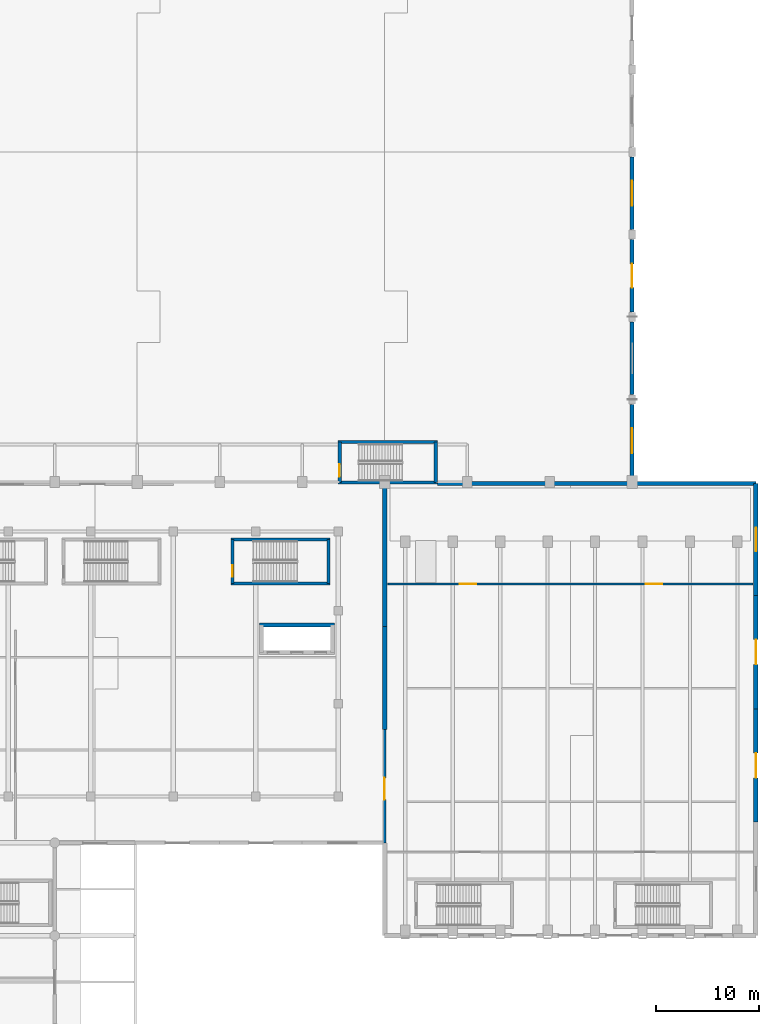
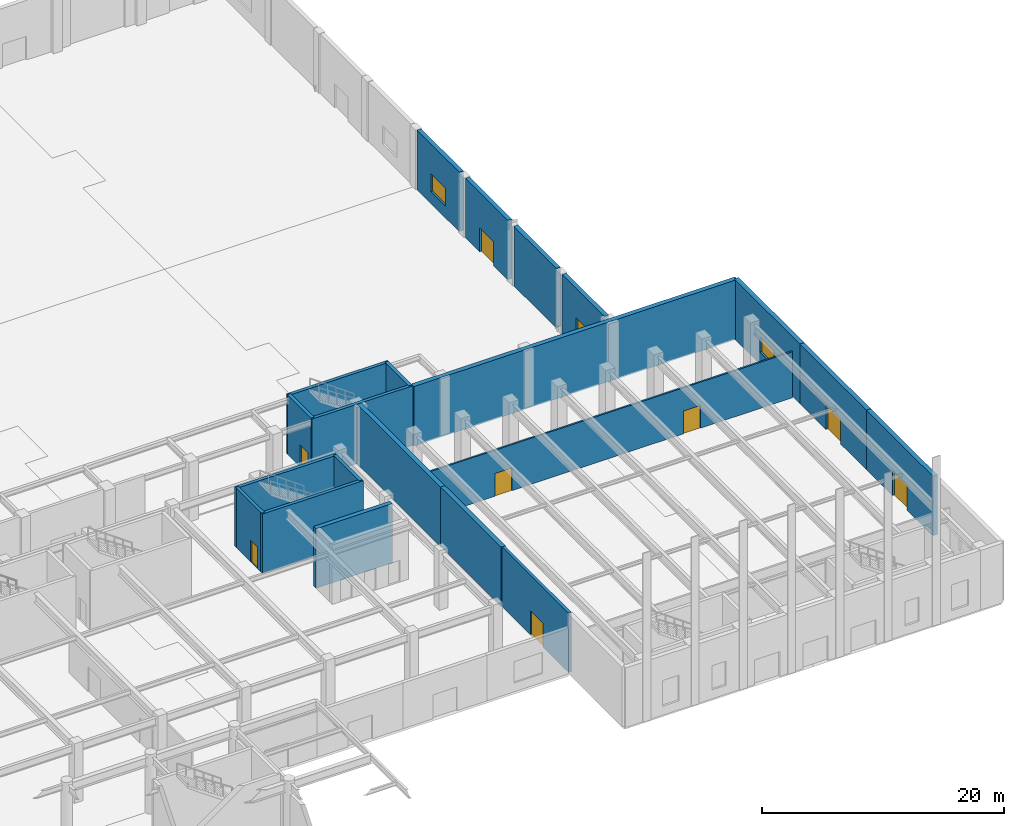
# One storey, part 36 of 49: 21 walls, 8 doors, 3 windows, 11 openings.
"""IFC4 building model written with IfcOpenShell, lengths in metres."""

from ifc_helpers import new_model, si_unit, direction, frame, frame_2d, origin, place, context, subcontext, project, spatial, rectangle, extrude, material, layer, layer_set, type_object, element, fill, save


model = new_model("IFC4")

# Units and contexts
model_context = context("Model", 3, precision=1e-05, world=origin(), true_north=direction((0.0, 1.0)))
body_context = subcontext(model_context, "Body", "Model", "MODEL_VIEW")
ifc_project = project(units=[si_unit("LENGTHUNIT", "METRE"), si_unit("AREAUNIT", "SQUARE_METRE"), si_unit("VOLUMEUNIT", "CUBIC_METRE"), si_unit("PLANEANGLEUNIT", "RADIAN"), si_unit("MASSUNIT", "GRAM", prefix="KILO")], contexts=[model_context])

# Site, building, storey
site_placement = place(None, origin())
site = spatial("IfcSite", under=ifc_project, at=site_placement, CompositionType="ELEMENT")
building_placement = place(site_placement, origin())
building = spatial("IfcBuilding", under=site, at=building_placement, Name="Tlacozan Convention Centre", CompositionType="ELEMENT")
storey_placement = place(building_placement, origin())
storey = spatial("IfcBuildingStorey", under=building, at=storey_placement, Name="L00", CompositionType="ELEMENT", Elevation=0.0)

# Wall, opening, window
ifc_material_1 = material(Name="Concrete C40/50", Category="concrete")
ifc_layer_1 = layer(ifc_material_1, 0.39990234375)
ifc_layer_set_1 = layer_set([ifc_layer_1], Name="Concrete C40/50")
wall_type_1 = type_object("IfcWallType", Name="Cantera Structural Hall Wall 400", PredefinedType="SOLIDWALL", material=ifc_layer_set_1)
wall_1_placement = place(storey_placement, frame((168.0, 62.5, 0.0), z_axis=(0.0, 0.0, 1.0), x_axis=(0.0, 1.0, 0.0)))
wall_1 = element("IfcWall", 1, at=wall_1_placement, inside=storey, type_object=wall_type_1, Name="L00 Cantera Structural Hall Wall 400 71", PredefinedType="SOLIDWALL", context=body_context, shape_type="SweptSolid", body=[
    extrude(rectangle(XDim=7.0, YDim=0.39990234375, at=frame_2d((3.5, 0.0))), origin(), (0.0, 0.0, 1.0), 6.0),
])
opening_1_placement = place(wall_1_placement, frame((2.300048828125, 0.0, 1.199951171875)))
opening_1 = element("IfcOpeningElement", 2, at=opening_1_placement, cuts=wall_1, Name="Opening WN-04", PredefinedType="OPENING", context=body_context, shape_type="SweptSolid", body=[
    extrude(rectangle(XDim=2.39990234375, YDim=1.800048828125, at=frame_2d((1.199951171875, 0.89990234375))), frame((0.0, 0.2099609375, 0.0), z_axis=(0.0, -1.0, 0.0), x_axis=(1.0, 0.0, 0.0)), (0.0, 0.0, 1.0), 0.419921875),
])
ifc_material_2 = material(Name="Solar Control Double Low-E Argon Glazing", Category="glass")
window_type_1 = type_object("IfcWindowType", Name="Exhibition Gable Vision Window 2400x1800", PartitioningType="SINGLE_PANEL", PredefinedType="WINDOW", material=ifc_material_2)
window_1_placement = place(opening_1_placement, origin())
window_1 = element("IfcWindow", 3, at=window_1_placement, inside=storey, type_object=window_type_1, Name="L00 Exhibition Gable Vision Window 2400x1800 32", OverallHeight=1.800048828125, OverallWidth=2.39990234375, PartitioningType="SINGLE_PANEL", PredefinedType="WINDOW", context=body_context, shape_type="SweptSolid", body=[
    extrude(rectangle(XDim=2.39990234375, YDim=1.800048828125, at=frame_2d((1.199951171875, 0.89990234375))), frame((0.0, 0.030029296875, 0.0), z_axis=(0.0, -1.0, 0.0), x_axis=(1.0, 0.0, 0.0)), (0.0, 0.0, 1.0), 0.06005859375),
])
fill(opening_1, window_1)

# Wall
wall_2_placement = place(storey_placement, frame((168.0, 70.5, 0.0), z_axis=(0.0, 0.0, 1.0), x_axis=(0.0, 1.0, 0.0)))
element("IfcWall", 4, at=wall_2_placement, inside=storey, type_object=wall_type_1, Name="L00 Cantera Structural Hall Wall 400 73", PredefinedType="SOLIDWALL", context=body_context, shape_type="SweptSolid", body=[
    extrude(rectangle(XDim=7.0, YDim=0.39990234375, at=frame_2d((3.5, 0.0))), origin(), (0.0, 0.0, 1.0), 6.0),
])

# Wall, opening, door
wall_3_placement = place(storey_placement, frame((168.0, 78.5, 0.0), z_axis=(0.0, 0.0, 1.0), x_axis=(0.0, 1.0, 0.0)))
wall_3 = element("IfcWall", 5, at=wall_3_placement, inside=storey, type_object=wall_type_1, Name="L00 Cantera Structural Hall Wall 400 75", PredefinedType="SOLIDWALL", context=body_context, shape_type="SweptSolid", body=[
    extrude(rectangle(XDim=7.0, YDim=0.39990234375, at=frame_2d((3.5, 0.0))), origin(), (0.0, 0.0, 1.0), 6.0),
])
opening_2_placement = place(wall_3_placement, frame((2.35009765625, 0.0, 0.0)))
opening_2 = element("IfcOpeningElement", 6, at=opening_2_placement, cuts=wall_3, Name="Opening EX-D1", PredefinedType="OPENING", context=body_context, shape_type="SweptSolid", body=[
    extrude(rectangle(XDim=2.300048828125, YDim=2.39990234375, at=frame_2d((1.14990234375, 1.199951171875))), frame((0.0, 0.2099609375, 0.0), z_axis=(0.0, -1.0, 0.0), x_axis=(1.0, 0.0, 0.0)), (0.0, 0.0, 1.0), 0.419921875),
])
ifc_material_3 = material(Name="Thermally Broken Anodised Aluminium Door", Category="aluminium")
door_type_1 = type_object("IfcDoorType", Name="Pedestrian Final Exit Double Door 2300x2400", OperationType="DOUBLE_DOOR_SINGLE_SWING", PredefinedType="DOOR", material=ifc_material_3)
door_1_placement = place(opening_2_placement, frame((2.300048828125, 0.0, 0.0), z_axis=(0.0, 0.0, 1.0), x_axis=(-1.0, 0.0, 0.0)))
door_1 = element("IfcDoor", 7, at=door_1_placement, inside=storey, type_object=door_type_1, Name="Final Pedestrian Exit EX-13", OperationType="DOUBLE_DOOR_SINGLE_SWING", OverallHeight=2.39990234375, OverallWidth=2.300048828125, PredefinedType="DOOR", context=body_context, shape_type="SweptSolid", body=[
    extrude(rectangle(XDim=2.300048828125, YDim=2.39990234375, at=frame_2d((1.14990234375, 1.199951171875))), frame((0.0, 0.02490234375, 0.0), z_axis=(0.0, -1.0, 0.0), x_axis=(1.0, 0.0, 0.0)), (0.0, 0.0, 1.0), 0.050048828125),
])
fill(opening_2, door_1)

# Wall, opening, window
wall_4_placement = place(storey_placement, frame((168.0, 86.5, 0.0), z_axis=(0.0, 0.0, 1.0), x_axis=(0.0, 1.0, 0.0)))
wall_4 = element("IfcWall", 8, at=wall_4_placement, inside=storey, type_object=wall_type_1, Name="L00 Cantera Structural Hall Wall 400 77", PredefinedType="SOLIDWALL", context=body_context, shape_type="SweptSolid", body=[
    extrude(rectangle(XDim=7.0, YDim=0.39990234375, at=frame_2d((3.5, 0.0))), origin(), (0.0, 0.0, 1.0), 6.0),
])
opening_3_placement = place(wall_4_placement, frame((2.300048828125, 0.0, 1.199951171875)))
opening_3 = element("IfcOpeningElement", 9, at=opening_3_placement, cuts=wall_4, Name="Opening WN-04", PredefinedType="OPENING", context=body_context, shape_type="SweptSolid", body=[
    extrude(rectangle(XDim=2.39990234375, YDim=1.800048828125, at=frame_2d((1.199951171875, 0.89990234375))), frame((0.0, 0.2099609375, 0.0), z_axis=(0.0, -1.0, 0.0), x_axis=(1.0, 0.0, 0.0)), (0.0, 0.0, 1.0), 0.419921875),
])
window_2_placement = place(opening_3_placement, origin())
window_2 = element("IfcWindow", 10, at=window_2_placement, inside=storey, type_object=window_type_1, Name="L00 Exhibition Gable Vision Window 2400x1800 34", OverallHeight=1.800048828125, OverallWidth=2.39990234375, PartitioningType="SINGLE_PANEL", PredefinedType="WINDOW", context=body_context, shape_type="SweptSolid", body=[
    extrude(rectangle(XDim=2.39990234375, YDim=1.800048828125, at=frame_2d((1.199951171875, 0.89990234375))), frame((0.0, 0.030029296875, 0.0), z_axis=(0.0, -1.0, 0.0), x_axis=(1.0, 0.0, 0.0)), (0.0, 0.0, 1.0), 0.06005859375),
])
fill(opening_3, window_2)

# Wall, opening, door
ifc_layer_2 = layer(ifc_material_1, 0.260009765625)
ifc_layer_set_2 = layer_set([ifc_layer_2], Name="Concrete C40/50")
wall_type_2 = type_object("IfcWallType", Name="Compartment Rated Wall RC 260", PredefinedType="SOLIDWALL", material=ifc_layer_set_2)
wall_5_placement = place(storey_placement, frame((144.0, 27.0, 0.0), z_axis=(0.0, 0.0, 1.0), x_axis=(0.0, 1.0, 0.0)))
wall_5 = element("IfcWall", 11, at=wall_5_placement, inside=storey, type_object=wall_type_2, Name="L00 Compartment Rated Wall RC 260 580", PredefinedType="SOLIDWALL", context=body_context, shape_type="SweptSolid", body=[
    extrude(rectangle(XDim=11.0, YDim=0.260009765625, at=frame_2d((5.5, 0.0))), origin(), (0.0, 0.0, 1.0), 6.0),
])
opening_4_placement = place(wall_5_placement, frame((4.199951171875, 0.0, 0.0)))
opening_4 = element("IfcOpeningElement", 12, at=opening_4_placement, cuts=wall_5, Name="Opening FD-04", PredefinedType="OPENING", context=body_context, shape_type="SweptSolid", body=[
    extrude(rectangle(XDim=2.10009765625, YDim=2.39990234375, at=frame_2d((1.050048828125, 1.199951171875))), frame((0.0, 0.139892578125, 0.0), z_axis=(0.0, -1.0, 0.0), x_axis=(1.0, 0.0, 0.0)), (0.0, 0.0, 1.0), 0.280029296875),
])
ifc_material_4 = material(Name="Fire-Rated Insulated Steel Door Leaf", Category="steel")
door_type_2 = type_object("IfcDoorType", Name="Fire Door Compartment Double 2100x2400 FD90", OperationType="DOUBLE_DOOR_SINGLE_SWING", PredefinedType="DOOR", material=ifc_material_4)
door_2_placement = place(opening_4_placement, origin())
door_2 = element("IfcDoor", 13, at=door_2_placement, inside=storey, type_object=door_type_2, Name="L00 Fire Door Compartment Double 2100x2400 FD90 169", OperationType="DOUBLE_DOOR_SINGLE_SWING", OverallHeight=2.39990234375, OverallWidth=2.10009765625, PredefinedType="DOOR", context=body_context, shape_type="SweptSolid", body=[
    extrude(rectangle(XDim=2.10009765625, YDim=2.39990234375, at=frame_2d((1.050048828125, 1.199951171875))), frame((0.0, 0.02490234375, 0.0), z_axis=(0.0, -1.0, 0.0), x_axis=(1.0, 0.0, 0.0)), (0.0, 0.0, 1.0), 0.050048828125),
])
fill(opening_4, door_2)

# Wall
ifc_layer_3 = layer(ifc_material_1, 0.409912109375)
ifc_layer_set_3 = layer_set([ifc_layer_3], Name="Concrete C40/50")
wall_type_3 = type_object("IfcWallType", Name="Core Shear Wall RC 410", PredefinedType="SHEAR", material=ifc_layer_set_3)
wall_6_placement = place(storey_placement, frame((131.85498046875, 48.139892578125, 0.0), z_axis=(0.0, 0.0, 1.0), x_axis=(1.0, 0.0, 0.0)))
element("IfcWall", 14, at=wall_6_placement, inside=storey, type_object=wall_type_3, Name="L00 Core Shear Wall RC 410 242", PredefinedType="SHEAR", context=body_context, shape_type="SweptSolid", body=[
    extrude(rectangle(XDim=7.2900390625, YDim=0.409912109375, at=frame_2d((3.64501953125, 0.0))), origin(), (0.0, 0.0, 1.0), 6.0),
])

# Wall, openings, doors
ifc_material_5 = material(Name="Acoustic Double-Stud Partition Assembly")
ifc_layer_4 = layer(ifc_material_5, 0.159912109375)
ifc_layer_set_4 = layer_set([ifc_layer_4], Name="Acoustic Double-Stud Partition Assembly")
wall_type_4 = type_object("IfcWallType", Name="Meeting Acoustic Partition 160", PredefinedType="PARTITIONING", material=ifc_layer_set_4)
wall_7_placement = place(storey_placement, frame((144.300048828125, 52.10009765625, 0.0), z_axis=(0.0, 0.0, 1.0), x_axis=(1.0, 0.0, 0.0)))
wall_7 = element("IfcWall", 15, at=wall_7_placement, inside=storey, type_object=wall_type_4, Name="L00 Meeting Acoustic Partition 160 582", PredefinedType="PARTITIONING", context=body_context, shape_type="SweptSolid", body=[
    extrude(rectangle(XDim=35.39990234375, YDim=0.159912109375, at=frame_2d((17.699951171875, 0.0))), origin(), (0.0, 0.0, 1.0), 4.64990234375),
])
opening_5_placement = place(wall_7_placement, frame((7.0, 0.0, 0.0)))
opening_5 = element("IfcOpeningElement", 16, at=opening_5_placement, cuts=wall_7, Name="Opening ID-07", PredefinedType="OPENING", context=body_context, shape_type="SweptSolid", body=[
    extrude(rectangle(XDim=1.60009765625, YDim=2.300048828125, at=frame_2d((0.800048828125, 1.14990234375))), frame((0.0, 0.08984375, 0.0), z_axis=(0.0, -1.0, 0.0), x_axis=(1.0, 0.0, 0.0)), (0.0, 0.0, 1.0), 0.179931640625),
])
opening_6_placement = place(wall_7_placement, frame((25.0, 0.0, 0.0)))
opening_6 = element("IfcOpeningElement", 17, at=opening_6_placement, cuts=wall_7, Name="Opening ID-07", PredefinedType="OPENING", context=body_context, shape_type="SweptSolid", body=[
    extrude(rectangle(XDim=1.60009765625, YDim=2.300048828125, at=frame_2d((0.800048828125, 1.14990234375))), frame((0.0, 0.08984375, 0.0), z_axis=(0.0, -1.0, 0.0), x_axis=(1.0, 0.0, 0.0)), (0.0, 0.0, 1.0), 0.179931640625),
])
ifc_material_6 = material(Name="Acoustic Solid-Core Oak Veneer Door")
door_type_3 = type_object("IfcDoorType", Name="Conference Double Door 1600x2300", OperationType="DOUBLE_DOOR_SINGLE_SWING", PredefinedType="DOOR", material=ifc_material_6)
door_3_placement = place(opening_5_placement, origin())
door_3 = element("IfcDoor", 18, at=door_3_placement, inside=storey, type_object=door_type_3, Name="L00 Conference Double Door 1600x2300 172", OperationType="DOUBLE_DOOR_SINGLE_SWING", OverallHeight=2.300048828125, OverallWidth=1.60009765625, PredefinedType="DOOR", context=body_context, shape_type="SweptSolid", body=[
    extrude(rectangle(XDim=1.60009765625, YDim=2.300048828125, at=frame_2d((0.800048828125, 1.14990234375))), frame((0.0, 0.02490234375, 0.0), z_axis=(0.0, -1.0, 0.0), x_axis=(1.0, 0.0, 0.0)), (0.0, 0.0, 1.0), 0.050048828125),
])
fill(opening_5, door_3)
door_4_placement = place(opening_6_placement, origin())
door_4 = element("IfcDoor", 19, at=door_4_placement, inside=storey, type_object=door_type_3, Name="L00 Conference Double Door 1600x2300 173", OperationType="DOUBLE_DOOR_SINGLE_SWING", OverallHeight=2.300048828125, OverallWidth=1.60009765625, PredefinedType="DOOR", context=body_context, shape_type="SweptSolid", body=[
    extrude(rectangle(XDim=1.60009765625, YDim=2.300048828125, at=frame_2d((0.800048828125, 1.14990234375))), frame((0.0, 0.02490234375, 0.0), z_axis=(0.0, -1.0, 0.0), x_axis=(1.0, 0.0, 0.0)), (0.0, 0.0, 1.0), 0.050048828125),
])
fill(opening_6, door_4)

# Wall, opening, door
ifc_layer_5 = layer(ifc_material_1, 0.429931640625)
ifc_layer_set_5 = layer_set([ifc_layer_5], Name="Concrete C40/50")
wall_type_5 = type_object("IfcWallType", Name="Plenary Acoustic Stone Wall 430", PredefinedType="SOLIDWALL", material=ifc_layer_set_5)
wall_8_placement = place(storey_placement, frame((180.0, 29.0, 0.0), z_axis=(0.0, 0.0, 1.0), x_axis=(0.0, 1.0, 0.0)))
wall_8 = element("IfcWall", 20, at=wall_8_placement, inside=storey, type_object=wall_type_5, Name="L00 Plenary Acoustic Stone Wall 430 161", PredefinedType="SOLIDWALL", context=body_context, shape_type="SweptSolid", body=[
    extrude(rectangle(XDim=11.0, YDim=0.429931640625, at=frame_2d((5.5, 0.0))), origin(), (0.0, 0.0, 1.0), 6.0),
])
opening_7_placement = place(wall_8_placement, frame((4.300048828125, 0.0, 0.0)))
opening_7 = element("IfcOpeningElement", 21, at=opening_7_placement, cuts=wall_8, Name="Opening EX-D3", PredefinedType="OPENING", context=body_context, shape_type="SweptSolid", body=[
    extrude(rectangle(XDim=2.39990234375, YDim=2.5, at=frame_2d((1.199951171875, 1.25))), frame((0.0, 0.224853515625, 0.0), z_axis=(0.0, -1.0, 0.0), x_axis=(1.0, 0.0, 0.0)), (0.0, 0.0, 1.0), 0.449951171875),
])
door_type_4 = type_object("IfcDoorType", Name="Plenary Foyer Exit Double Door 2400x2500", OperationType="DOUBLE_DOOR_SINGLE_SWING", PredefinedType="DOOR", material=ifc_material_3)
door_5_placement = place(opening_7_placement, frame((2.39990234375, 0.0, 0.0), z_axis=(0.0, 0.0, 1.0), x_axis=(-1.0, 0.0, 0.0)))
door_5 = element("IfcDoor", 22, at=door_5_placement, inside=storey, type_object=door_type_4, Name="Final Pedestrian Exit EX-30", OperationType="DOUBLE_DOOR_SINGLE_SWING", OverallHeight=2.5, OverallWidth=2.39990234375, PredefinedType="DOOR", context=body_context, shape_type="SweptSolid", body=[
    extrude(rectangle(XDim=2.39990234375, YDim=2.5, at=frame_2d((1.199951171875, 1.25))), frame((0.0, 0.02490234375, 0.0), z_axis=(0.0, -1.0, 0.0), x_axis=(1.0, 0.0, 0.0)), (0.0, 0.0, 1.0), 0.050048828125),
])
fill(opening_7, door_5)

wall_9_placement = place(storey_placement, frame((180.0, 40.0, 0.0), z_axis=(0.0, 0.0, 1.0), x_axis=(0.0, 1.0, 0.0)))
wall_9 = element("IfcWall", 23, at=wall_9_placement, inside=storey, type_object=wall_type_5, Name="L00 Plenary Acoustic Stone Wall 430 164", PredefinedType="SOLIDWALL", context=body_context, shape_type="SweptSolid", body=[
    extrude(rectangle(XDim=11.0, YDim=0.429931640625, at=frame_2d((5.5, 0.0))), origin(), (0.0, 0.0, 1.0), 6.0),
])
opening_8_placement = place(wall_9_placement, frame((4.300048828125, 0.0, 0.0)))
opening_8 = element("IfcOpeningElement", 24, at=opening_8_placement, cuts=wall_9, Name="Opening EX-D3", PredefinedType="OPENING", context=body_context, shape_type="SweptSolid", body=[
    extrude(rectangle(XDim=2.39990234375, YDim=2.5, at=frame_2d((1.199951171875, 1.25))), frame((0.0, 0.224853515625, 0.0), z_axis=(0.0, -1.0, 0.0), x_axis=(1.0, 0.0, 0.0)), (0.0, 0.0, 1.0), 0.449951171875),
])
door_6_placement = place(opening_8_placement, frame((2.39990234375, 0.0, 0.0), z_axis=(0.0, 0.0, 1.0), x_axis=(-1.0, 0.0, 0.0)))
door_6 = element("IfcDoor", 25, at=door_6_placement, inside=storey, type_object=door_type_4, Name="Final Pedestrian Exit EX-31", OperationType="DOUBLE_DOOR_SINGLE_SWING", OverallHeight=2.5, OverallWidth=2.39990234375, PredefinedType="DOOR", context=body_context, shape_type="SweptSolid", body=[
    extrude(rectangle(XDim=2.39990234375, YDim=2.5, at=frame_2d((1.199951171875, 1.25))), frame((0.0, 0.02490234375, 0.0), z_axis=(0.0, -1.0, 0.0), x_axis=(1.0, 0.0, 0.0)), (0.0, 0.0, 1.0), 0.050048828125),
])
fill(opening_8, door_6)

# Wall, opening, window
wall_10_placement = place(storey_placement, frame((180.0, 51.0, 0.0), z_axis=(0.0, 0.0, 1.0), x_axis=(0.0, 1.0, 0.0)))
wall_10 = element("IfcWall", 26, at=wall_10_placement, inside=storey, type_object=wall_type_5, Name="L00 Plenary Acoustic Stone Wall 430 167", PredefinedType="SOLIDWALL", context=body_context, shape_type="SweptSolid", body=[
    extrude(rectangle(XDim=10.85009765625, YDim=0.429931640625, at=frame_2d((5.425048828125, 0.0))), origin(), (0.0, 0.0, 1.0), 6.0),
])
opening_9_placement = place(wall_10_placement, frame((4.27490234375, 0.0, 1.199951171875)))
opening_9 = element("IfcOpeningElement", 27, at=opening_9_placement, cuts=wall_10, Name="Opening WN-24", PredefinedType="OPENING", context=body_context, shape_type="SweptSolid", body=[
    extrude(rectangle(XDim=2.300048828125, YDim=1.550048828125, at=frame_2d((1.14990234375, 0.77490234375))), frame((0.0, 0.224853515625, 0.0), z_axis=(0.0, -1.0, 0.0), x_axis=(1.0, 0.0, 0.0)), (0.0, 0.0, 1.0), 0.449951171875),
])
window_type_2 = type_object("IfcWindowType", Name="Plenary East Acoustic Window 2300x1550", PartitioningType="SINGLE_PANEL", PredefinedType="WINDOW", material=ifc_material_2)
window_3_placement = place(opening_9_placement, origin())
window_3 = element("IfcWindow", 28, at=window_3_placement, inside=storey, type_object=window_type_2, Name="L00 Plenary East Acoustic Window 2300x1550 59", OverallHeight=1.550048828125, OverallWidth=2.300048828125, PartitioningType="SINGLE_PANEL", PredefinedType="WINDOW", context=body_context, shape_type="SweptSolid", body=[
    extrude(rectangle(XDim=2.300048828125, YDim=1.550048828125, at=frame_2d((1.14990234375, 0.77490234375))), frame((0.0, 0.030029296875, 0.0), z_axis=(0.0, -1.0, 0.0), x_axis=(1.0, 0.0, 0.0)), (0.0, 0.0, 1.0), 0.06005859375),
])
fill(opening_9, window_3)

# Walls
wall_11_placement = place(storey_placement, frame((149.10009765625, 61.85009765625, 0.0), z_axis=(0.0, 0.0, 1.0), x_axis=(1.0, 0.0, 0.0)))
element("IfcWall", 29, at=wall_11_placement, inside=storey, type_object=wall_type_5, Name="L00 Plenary Acoustic Stone Wall 430 170", PredefinedType="SOLIDWALL", context=body_context, shape_type="SweptSolid", body=[
    extrude(rectangle(XDim=30.89990234375, YDim=0.429931640625, at=frame_2d((15.449951171875, 0.0))), origin(), (0.0, 0.0, 1.0), 6.0),
])
wall_12_placement = place(storey_placement, frame((144.0, 48.0, 0.0), z_axis=(0.0, 0.0, 1.0), x_axis=(0.0, 1.0, 0.0)))
element("IfcWall", 30, at=wall_12_placement, inside=storey, type_object=wall_type_5, Name="L00 Plenary Acoustic Stone Wall 430 181", PredefinedType="SOLIDWALL", context=body_context, shape_type="SweptSolid", body=[
    extrude(rectangle(XDim=13.85009765625, YDim=0.429931640625, at=frame_2d((6.925048828125, 0.0))), origin(), (0.0, 0.0, 1.0), 6.0),
])
wall_13_placement = place(storey_placement, frame((144.0, 38.0, 0.0), z_axis=(0.0, 0.0, 1.0), x_axis=(0.0, 1.0, 0.0)))
element("IfcWall", 31, at=wall_13_placement, inside=storey, type_object=wall_type_5, Name="L00 Plenary Acoustic Stone Wall 430 183", PredefinedType="SOLIDWALL", context=body_context, shape_type="SweptSolid", body=[
    extrude(rectangle(XDim=10.0, YDim=0.429931640625, at=frame_2d((5.0, 0.0))), origin(), (0.0, 0.0, 1.0), 6.0),
])
ifc_layer_6 = layer(ifc_material_1, 0.31005859375)
ifc_layer_set_6 = layer_set([ifc_layer_6], Name="Concrete C40/50")
wall_type_6 = type_object("IfcWallType", Name="Stair Shaft Shear Wall RC 310", PredefinedType="SHEAR", material=ifc_layer_set_6)
for number, where, z_axis, x_axis, name in (
    (32, (129.0849609375, 52.139892578125, 0.0), (0.0, 0.0, 1.0), (1.0, 0.0, 0.0), "L00 Stair Shaft Shear Wall RC 310 237"),
    (33, (129.0849609375, 56.419921875, 0.0), (0.0, 0.0, 1.0), (1.0, 0.0, 0.0), "L00 Stair Shaft Shear Wall RC 310 238"),
):
    element("IfcWall", number, at=place(storey_placement, frame(where, z_axis=z_axis, x_axis=x_axis)), inside=storey, type_object=wall_type_6, Name=name, PredefinedType="SHEAR", context=body_context, shape_type="SweptSolid", body=[
        extrude(rectangle(XDim=9.630126953125, YDim=0.31005859375, at=frame_2d((4.81494140625, 0.0))), origin(), (0.0, 0.0, 1.0), 6.0),
    ])

# Wall, opening, door
wall_14_placement = place(storey_placement, frame((129.239990234375, 52.139892578125, 0.0), z_axis=(0.0, 0.0, 1.0), x_axis=(0.0, 1.0, 0.0)))
wall_14 = element("IfcWall", 34, at=wall_14_placement, inside=storey, type_object=wall_type_6, Name="L00 Stair Shaft Shear Wall RC 310 239", PredefinedType="SHEAR", context=body_context, shape_type="SweptSolid", body=[
    extrude(rectangle(XDim=4.280029296875, YDim=0.31005859375, at=frame_2d((2.14013671875, 0.0))), origin(), (0.0, 0.0, 1.0), 6.0),
])
opening_10_placement = place(wall_14_placement, frame((0.64990234375, 0.0, 0.0)))
opening_10 = element("IfcOpeningElement", 35, at=opening_10_placement, cuts=wall_14, Name="Opening FD-02", PredefinedType="OPENING", context=body_context, shape_type="SweptSolid", body=[
    extrude(rectangle(XDim=1.14990234375, YDim=2.199951171875, at=frame_2d((0.574951171875, 1.10009765625))), frame((0.0, 0.1650390625, 0.0), z_axis=(0.0, -1.0, 0.0), x_axis=(1.0, 0.0, 0.0)), (0.0, 0.0, 1.0), 0.330078125),
])
door_type_5 = type_object("IfcDoorType", Name="Fire Door Stair 1150x2200 FD90", OperationType="NOTDEFINED", PredefinedType="DOOR", material=ifc_material_4)
door_7_placement = place(opening_10_placement, origin())
door_7 = element("IfcDoor", 36, at=door_7_placement, inside=storey, type_object=door_type_5, Name="L00 Stair ST-03 Fire Door", OperationType="SINGLE_SWING_LEFT", OverallHeight=2.199951171875, OverallWidth=1.14990234375, PredefinedType="DOOR", context=body_context, shape_type="SweptSolid", body=[
    extrude(rectangle(XDim=1.14990234375, YDim=2.199951171875, at=frame_2d((0.574951171875, 1.10009765625))), frame((0.0, 0.02490234375, 0.0), z_axis=(0.0, -1.0, 0.0), x_axis=(1.0, 0.0, 0.0)), (0.0, 0.0, 1.0), 0.050048828125),
])
fill(opening_10, door_7)

# Walls
wall_15_placement = place(storey_placement, frame((138.56005859375, 52.139892578125, 0.0), z_axis=(0.0, 0.0, 1.0), x_axis=(0.0, 1.0, 0.0)))
element("IfcWall", 37, at=wall_15_placement, inside=storey, type_object=wall_type_6, Name="L00 Stair Shaft Shear Wall RC 310 240", PredefinedType="SHEAR", context=body_context, shape_type="SweptSolid", body=[
    extrude(rectangle(XDim=4.280029296875, YDim=0.31005859375, at=frame_2d((2.14013671875, 0.0))), origin(), (0.0, 0.0, 1.0), 6.0),
])
for number, where, z_axis, x_axis, name in (
    (38, (139.485107421875, 61.93994140625, 0.0), (0.0, 0.0, 1.0), (1.0, 0.0, 0.0), "L00 Stair Shaft Shear Wall RC 310 497"),
    (39, (139.485107421875, 65.860107421875, 0.0), (0.0, 0.0, 1.0), (1.0, 0.0, 0.0), "L00 Stair Shaft Shear Wall RC 310 498"),
):
    element("IfcWall", number, at=place(storey_placement, frame(where, z_axis=z_axis, x_axis=x_axis)), inside=storey, type_object=wall_type_6, Name=name, PredefinedType="SHEAR", context=body_context, shape_type="SweptSolid", body=[
        extrude(rectangle(XDim=9.6298828125, YDim=0.31005859375, at=frame_2d((4.81494140625, 0.0))), origin(), (0.0, 0.0, 1.0), 6.0),
    ])

# Wall, opening, door
wall_16_placement = place(storey_placement, frame((139.639892578125, 61.93994140625, 0.0), z_axis=(0.0, 0.0, 1.0), x_axis=(0.0, 1.0, 0.0)))
wall_16 = element("IfcWall", 40, at=wall_16_placement, inside=storey, type_object=wall_type_6, Name="L00 Stair Shaft Shear Wall RC 310 499", PredefinedType="SHEAR", context=body_context, shape_type="SweptSolid", body=[
    extrude(rectangle(XDim=3.920166015625, YDim=0.31005859375, at=frame_2d((1.9599609375, 0.0))), origin(), (0.0, 0.0, 1.0), 6.0),
])
opening_11_placement = place(wall_16_placement, frame((0.550048828125, 0.0, 0.0)))
opening_11 = element("IfcOpeningElement", 41, at=opening_11_placement, cuts=wall_16, Name="Opening FD-05", PredefinedType="OPENING", context=body_context, shape_type="SweptSolid", body=[
    extrude(rectangle(XDim=1.25, YDim=2.199951171875, at=frame_2d((0.625, 1.10009765625))), frame((0.0, 0.1650390625, 0.0), z_axis=(0.0, -1.0, 0.0), x_axis=(1.0, 0.0, 0.0)), (0.0, 0.0, 1.0), 0.330078125),
])
door_type_6 = type_object("IfcDoorType", Name="Fire Door Wide Stair 1250x2200 FD90", OperationType="NOTDEFINED", PredefinedType="DOOR", material=ifc_material_4)
door_8_placement = place(opening_11_placement, origin())
door_8 = element("IfcDoor", 42, at=door_8_placement, inside=storey, type_object=door_type_6, Name="L00 Stair ST-11 Access Door", OperationType="SINGLE_SWING_LEFT", OverallHeight=2.199951171875, OverallWidth=1.25, PredefinedType="DOOR", context=body_context, shape_type="SweptSolid", body=[
    extrude(rectangle(XDim=1.25, YDim=2.199951171875, at=frame_2d((0.625, 1.10009765625))), frame((0.0, 0.02490234375, 0.0), z_axis=(0.0, -1.0, 0.0), x_axis=(1.0, 0.0, 0.0)), (0.0, 0.0, 1.0), 0.050048828125),
])
fill(opening_11, door_8)

# Wall
wall_17_placement = place(storey_placement, frame((148.9599609375, 61.93994140625, 0.0), z_axis=(0.0, 0.0, 1.0), x_axis=(0.0, 1.0, 0.0)))
element("IfcWall", 43, at=wall_17_placement, inside=storey, type_object=wall_type_6, Name="L00 Stair Shaft Shear Wall RC 310 500", PredefinedType="SHEAR", context=body_context, shape_type="SweptSolid", body=[
    extrude(rectangle(XDim=3.920166015625, YDim=0.31005859375, at=frame_2d((1.9599609375, 0.0))), origin(), (0.0, 0.0, 1.0), 6.0),
])

save(model, "model.ifc")
